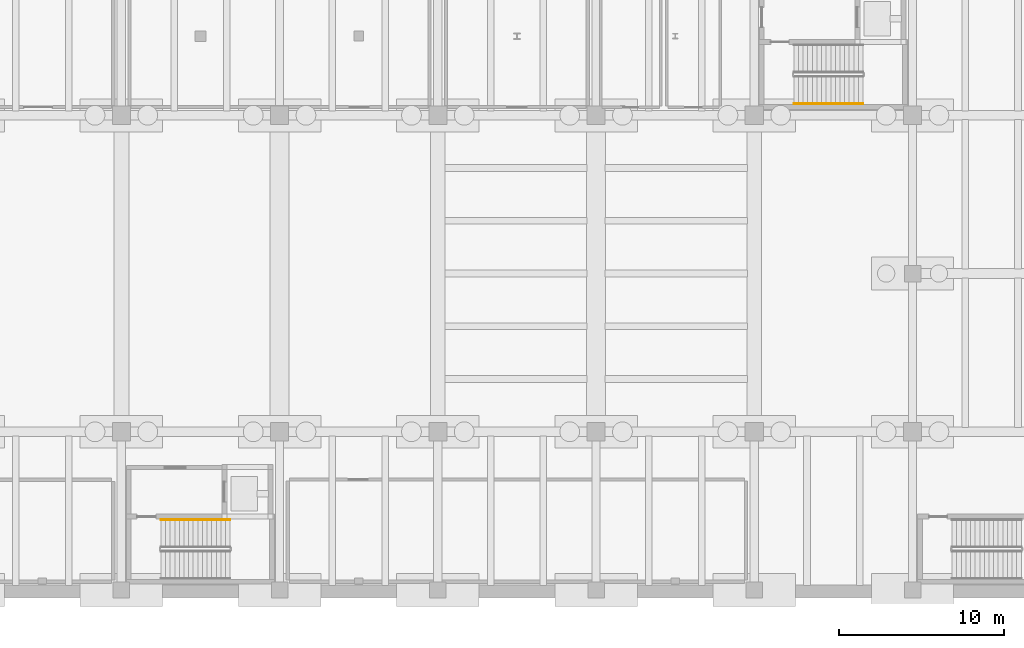
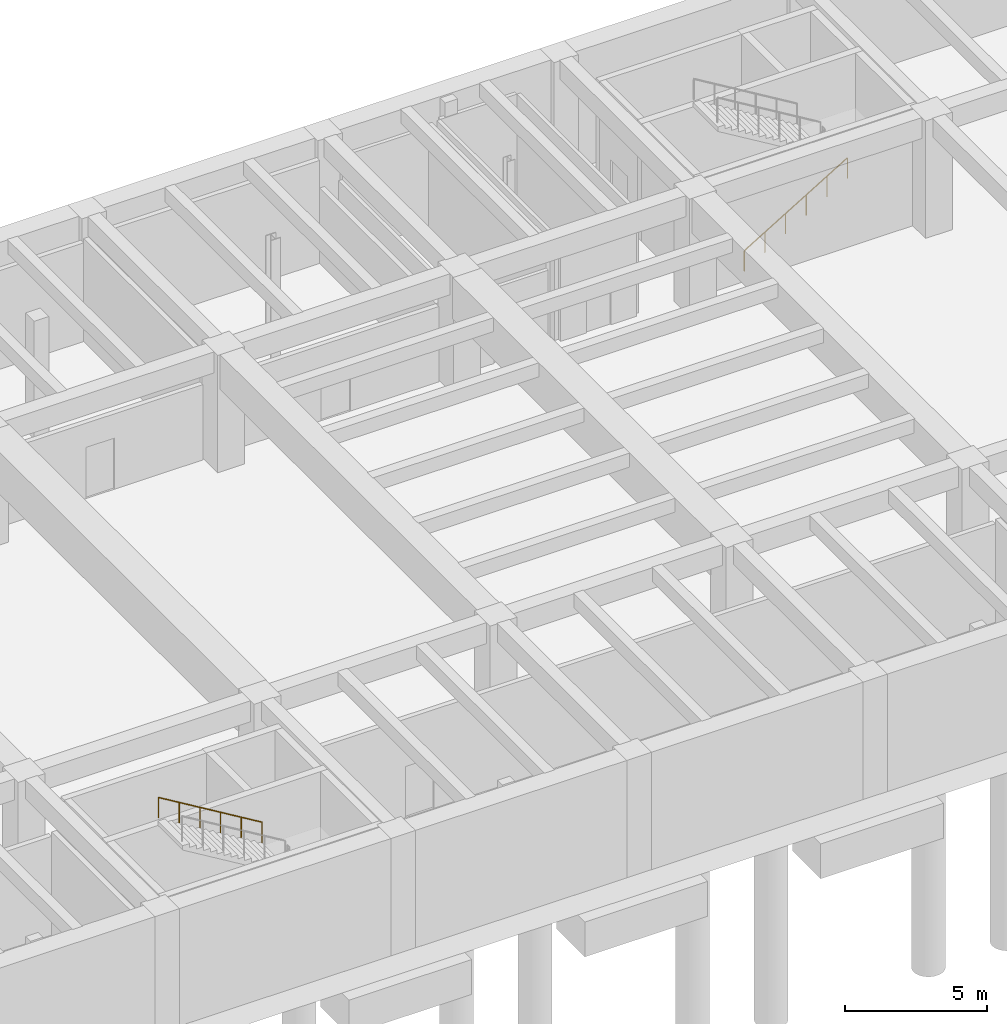
# One storey, part 20 of 24: 2 railings.
"""IFC4 building model written with IfcOpenShell, lengths in metres."""

from ifc_helpers import new_model, si_unit, direction, frame, origin, origin_2d, place, context, subcontext, project, spatial, circle, extrude, material, type_object, element, save


model = new_model("IFC4")

# Units and contexts
model_context = context("Model", 3, precision=1e-05, world=origin(), true_north=direction((0.0, 1.0)))
body_context = subcontext(model_context, "Body", "Model", "MODEL_VIEW")
ifc_project = project(units=[si_unit("LENGTHUNIT", "METRE"), si_unit("AREAUNIT", "SQUARE_METRE"), si_unit("VOLUMEUNIT", "CUBIC_METRE"), si_unit("PLANEANGLEUNIT", "RADIAN"), si_unit("MASSUNIT", "GRAM", prefix="KILO")], contexts=[model_context])

# Site, building, storey
site_placement = place(None, origin())
site = spatial("IfcSite", under=ifc_project, at=site_placement, CompositionType="ELEMENT")
building_placement = place(site_placement, origin())
building = spatial("IfcBuilding", under=site, at=building_placement, Name="Coralgate Yard Interchange", CompositionType="ELEMENT")
storey_placement = place(building_placement, frame((0.0, 0.0, -10.800048828125)))
storey = spatial("IfcBuildingStorey", under=building, at=storey_placement, Name="B2", CompositionType="ELEMENT", Elevation=-10.800048828125)

# Railings
ifc_material = material(Name="Grade 316 marine stainless steel", Category="steel")
railing_type = type_object("IfcRailingType", Name="RLG-HR900", PredefinedType="HANDRAIL", material=ifc_material)
railing_1_placement = place(storey_placement, frame((93.0, 42.659912109375, 2.868896484375)))
element("IfcRailing", 1, at=railing_1_placement, inside=storey, type_object=railing_type, Name="B2 ST-06 stair handrail 2", PredefinedType="HANDRAIL", context=body_context, shape_type="SweptSolid", body=[
    extrude(circle(Radius=0.02392578125, at=origin_2d()), frame((0.0, 0.0, 0.8759765625), z_axis=(-0.856476492594, 0.0, 0.516186030065), x_axis=(0.0, -1.0, 0.0)), (0.0, 0.0, 1.0), 4.90380859375),
    extrude(circle(Radius=0.02099609375, at=origin_2d()), origin(), (0.0, 0.0, 1.0), 0.851318359375),
    extrude(circle(Radius=0.02099609375, at=origin_2d()), frame((-0.840087890625, 0.0, 0.50634765625)), (0.0, 0.0, 1.0), 0.851318359375),
    extrude(circle(Radius=0.02099609375, at=origin_2d()), frame((-1.679931640625, 0.0, 1.012451171875)), (0.0, 0.0, 1.0), 0.851318359375),
    extrude(circle(Radius=0.02099609375, at=origin_2d()), frame((-2.52001953125, 0.0, 1.518798828125)), (0.0, 0.0, 1.0), 0.851318359375),
    extrude(circle(Radius=0.02099609375, at=origin_2d()), frame((-3.35986328125, 0.0, 2.02490234375)), (0.0, 0.0, 1.0), 0.851318359375),
    extrude(circle(Radius=0.02099609375, at=origin_2d()), frame((-4.199951171875, 0.0, 2.53125)), (0.0, 0.0, 1.0), 0.851318359375),
])
railing_2_placement = place(storey_placement, frame((127.199951171875, 67.89990234375, 0.168701171875)))
element("IfcRailing", 2, at=railing_2_placement, inside=storey, type_object=railing_type, Name="B2 ST-07 stair handrail 1", PredefinedType="HANDRAIL", context=body_context, shape_type="SweptSolid", body=[
    extrude(circle(Radius=0.02392578125, at=origin_2d()), frame((0.0, 0.0, 0.8759765625), z_axis=(0.856476492594, 0.0, 0.516186030065), x_axis=(0.0, 1.0, 0.0)), (0.0, 0.0, 1.0), 4.90380859375),
    extrude(circle(Radius=0.02099609375, at=origin_2d()), origin(), (0.0, 0.0, 1.0), 0.851318359375),
    extrude(circle(Radius=0.02099609375, at=origin_2d()), frame((0.840087890625, 0.0, 0.50634765625)), (0.0, 0.0, 1.0), 0.851318359375),
    extrude(circle(Radius=0.02099609375, at=origin_2d()), frame((1.679931640625, 0.0, 1.012451171875)), (0.0, 0.0, 1.0), 0.851318359375),
    extrude(circle(Radius=0.02099609375, at=origin_2d()), frame((2.52001953125, 0.0, 1.518798828125)), (0.0, 0.0, 1.0), 0.851318359375),
    extrude(circle(Radius=0.02099609375, at=origin_2d()), frame((3.35986328125, 0.0, 2.02490234375)), (0.0, 0.0, 1.0), 0.851318359375),
    extrude(circle(Radius=0.02099609375, at=origin_2d()), frame((4.199951171875, 0.0, 2.53125)), (0.0, 0.0, 1.0), 0.851318359375),
])

save(model, "model.ifc")
